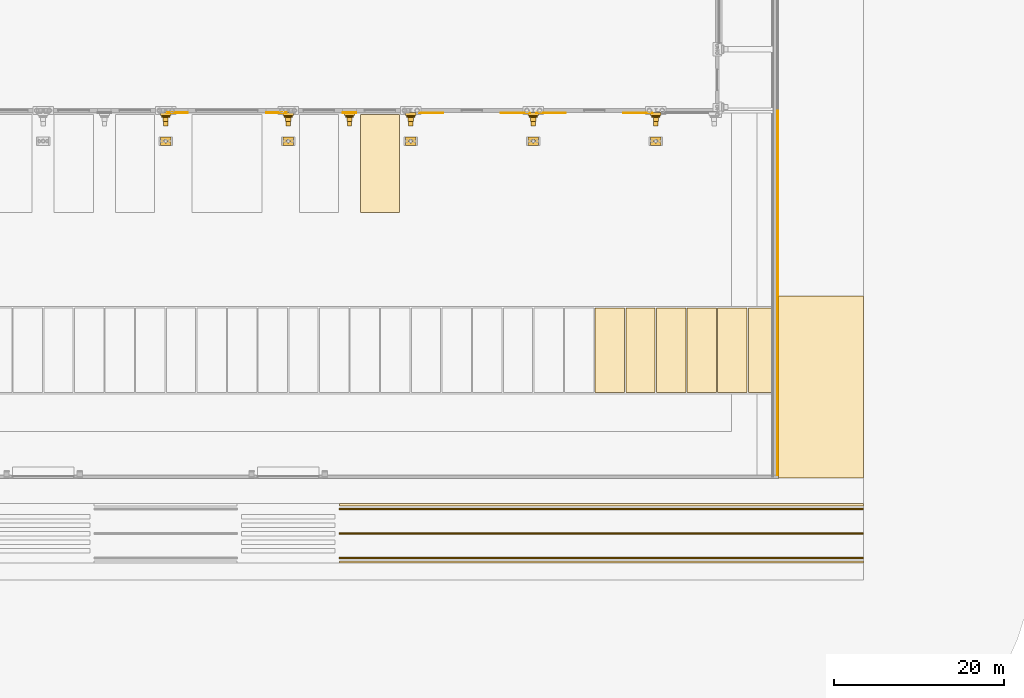
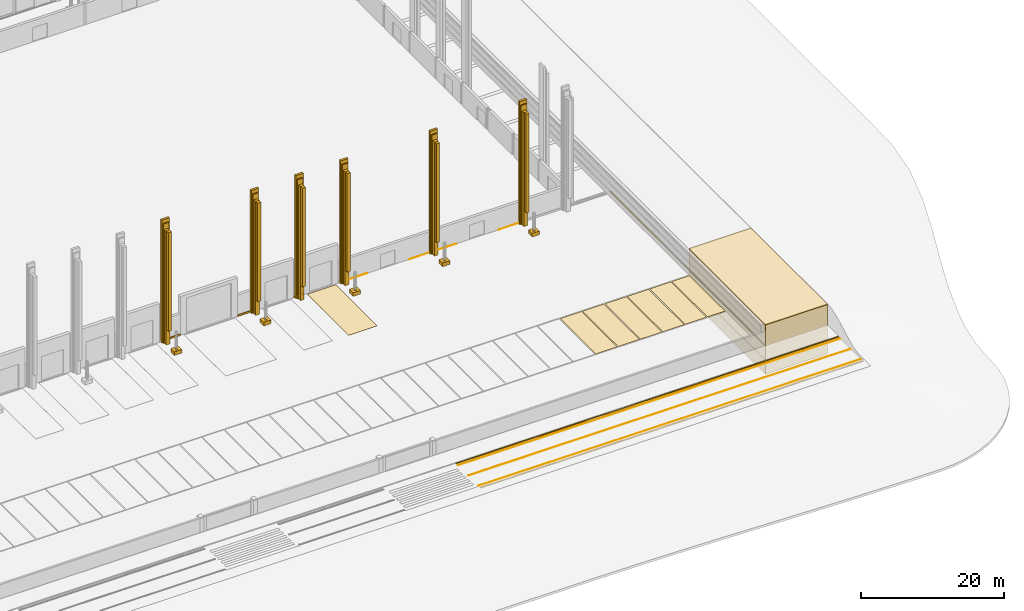
# One storey, part 133 of 148: 52 coverings.
"""IFC4 building model written with IfcOpenShell, lengths in metres."""

from ifc_helpers import new_model, si_unit, direction, frame, origin, origin_2d, place, context, subcontext, project, spatial, polyline, rectangle, outline, extrude, material, layer, layer_set, type_object, element, save


model = new_model("IFC4")

# Units and contexts
model_context = context("Model", 3, precision=1e-05, world=origin(), true_north=direction((0.0, 1.0)))
body_context = subcontext(model_context, "Body", "Model", "MODEL_VIEW")
ifc_project = project(units=[si_unit("LENGTHUNIT", "METRE"), si_unit("AREAUNIT", "SQUARE_METRE"), si_unit("VOLUMEUNIT", "CUBIC_METRE"), si_unit("PLANEANGLEUNIT", "RADIAN"), si_unit("MASSUNIT", "GRAM", prefix="KILO")], contexts=[model_context])

# Site, building, storey
site_placement = place(None, origin())
site = spatial("IfcSite", under=ifc_project, at=site_placement, CompositionType="ELEMENT")
building_placement = place(site_placement, origin())
building = spatial("IfcBuilding", under=site, at=building_placement, Name="Kupolbacken Congress Centre", CompositionType="ELEMENT")
storey_placement = place(building_placement, origin())
storey = spatial("IfcBuildingStorey", under=building, at=storey_placement, Name="L00", CompositionType="ELEMENT", Elevation=0.0)

# Coverings
ifc_material_1 = material(Name="Brick cladding", Category="masonry")
ifc_layer_1 = layer(ifc_material_1, 0.10791015625)
ifc_layer_set_1 = layer_set([ifc_layer_1], Name="Brick cladding")
covering_type_1 = type_object("IfcCoveringType", Name="CV2 brick cladding band 108", PredefinedType="CLADDING", material=ifc_layer_set_1)
for number, where, z_axis, x_axis, name in (
    (1, (138.175048828125, 42.93603515625, 0.0), (0.0, 0.0, 1.0), (1.0, 0.0, 0.0), "E/H/S/L00/080/band"),
    (2, (149.824951171875, 42.93603515625, 0.0), (0.0, 0.0, 1.0), (1.0, 0.0, 0.0), "E/H/S/L00/082/band"),
):
    element("IfcCovering", number, at=place(storey_placement, frame(where, z_axis=z_axis, x_axis=x_axis)), inside=storey, type_object=covering_type_1, Name=name, PredefinedType="CLADDING", context=body_context, shape_type="SweptSolid", body=[
        extrude(rectangle(XDim=2.449951171875, YDim=0.10791015625, at=origin_2d()), origin(), (0.0, 0.0, 1.0), 0.300048828125),
    ])
covering_1_placement = place(storey_placement, frame((158.39990234375, 42.93603515625, 0.0), z_axis=(0.0, 0.0, 1.0), x_axis=(1.0, 0.0, 0.0)))
element("IfcCovering", 3, at=covering_1_placement, inside=storey, type_object=covering_type_1, Name="E/H/S/L00/085/band", PredefinedType="CLADDING", context=body_context, shape_type="SweptSolid", body=[
    extrude(rectangle(XDim=1.60009765625, YDim=0.10791015625, at=origin_2d()), origin(), (0.0, 0.0, 1.0), 0.300048828125),
])
ifc_material_2 = material(Name="Limestone cladding", Category="masonry")
ifc_layer_2 = layer(ifc_material_2, 0.35009765625)
ifc_layer_set_2 = layer_set([ifc_layer_2], Name="Limestone cladding")
covering_type_2 = type_object("IfcCoveringType", Name="CV3 limestone pilaster strip 350", PredefinedType="CLADDING", material=ifc_layer_set_2)
for number, where, z_axis, x_axis, name in (
    (4, (136.800048828125, 42.764892578125, 0.0), (0.0, 0.0, 1.0), (1.0, 0.0, 0.0), "F/H/S/pil/07/0"),
    (5, (151.199951171875, 42.764892578125, 0.0), (0.0, 0.0, 1.0), (1.0, 0.0, 0.0), "F/H/S/pil/09/0"),
    (6, (158.39990234375, 42.764892578125, 0.0), (0.0, 0.0, 1.0), (1.0, 0.0, 0.0), "F/H/S/pil/10/0"),
    (7, (165.60009765625, 42.764892578125, 0.0), (0.0, 0.0, 1.0), (1.0, 0.0, 0.0), "F/H/S/pil/11/0"),
    (8, (180.0, 42.764892578125, 0.0), (0.0, 0.0, 1.0), (1.0, 0.0, 0.0), "F/H/S/pil/13/0"),
    (9, (194.39990234375, 42.764892578125, 0.0), (0.0, 0.0, 1.0), (1.0, 0.0, 0.0), "F/H/S/pil/15/0"),
):
    element("IfcCovering", number, at=place(storey_placement, frame(where, z_axis=z_axis, x_axis=x_axis)), inside=storey, type_object=covering_type_2, Name=name, PredefinedType="CLADDING", context=body_context, shape_type="SweptSolid", body=[
        extrude(rectangle(XDim=1.199951171875, YDim=0.35009765625, at=origin_2d()), origin(), (0.0, 0.0, 1.0), 20.93505859375),
    ])
ifc_material_3 = material(Name="Limestone cladding", Category="masonry")
ifc_layer_3 = layer(ifc_material_3, 0.60009765625)
ifc_layer_set_3 = layer_set([ifc_layer_3], Name="Limestone cladding")
covering_type_3 = type_object("IfcCoveringType", Name="CV5 limestone arcade pier 600", PredefinedType="CLADDING", material=ifc_layer_set_3)
covering_2_placement = place(storey_placement, frame((0.0, 0.0, 0.02001953125)))
element("IfcCovering", 10, at=covering_2_placement, inside=storey, type_object=covering_type_3, Name="Mast pedestal", PredefinedType="CLADDING", context=body_context, shape_type="SweptSolid", body=[
    extrude(outline(polyline([(136.199951171875, 39.10009765625), (136.199951171875, 40.10009765625), (137.39990234375, 40.10009765625), (137.39990234375, 39.10009765625), (136.199951171875, 39.10009765625)]), holes=[polyline([(137.002197265625, 39.626708984375), (136.9970703125, 39.65283203125), (136.98828125, 39.677978515625), (136.9765625, 39.701904296875), (136.9619140625, 39.72412109375), (136.944091796875, 39.744140625), (136.924072265625, 39.76171875), (136.902099609375, 39.776611328125), (136.8779296875, 39.788330078125), (136.852783203125, 39.797119140625), (136.82666015625, 39.80224609375), (136.800048828125, 39.803955078125), (136.7734375, 39.80224609375), (136.747314453125, 39.797119140625), (136.721923828125, 39.788330078125), (136.697998046875, 39.776611328125), (136.67578125, 39.76171875), (136.65576171875, 39.744140625), (136.63818359375, 39.72412109375), (136.623291015625, 39.701904296875), (136.611572265625, 39.677978515625), (136.60302734375, 39.65283203125), (136.597900390625, 39.626708984375), (136.59619140625, 39.60009765625), (136.597900390625, 39.573486328125), (136.60302734375, 39.547119140625), (136.611572265625, 39.52197265625), (136.623291015625, 39.498046875), (136.63818359375, 39.475830078125), (136.65576171875, 39.455810546875), (136.67578125, 39.438232421875), (136.697998046875, 39.42333984375), (136.721923828125, 39.41162109375), (136.747314453125, 39.403076171875), (136.7734375, 39.397705078125), (136.800048828125, 39.39599609375), (136.82666015625, 39.397705078125), (136.852783203125, 39.403076171875), (136.8779296875, 39.41162109375), (136.902099609375, 39.42333984375), (136.924072265625, 39.438232421875), (136.944091796875, 39.455810546875), (136.9619140625, 39.475830078125), (136.9765625, 39.498046875), (136.98828125, 39.52197265625), (136.9970703125, 39.547119140625), (137.002197265625, 39.573486328125), (137.00390625, 39.60009765625), (137.002197265625, 39.626708984375)])]), origin(), (0.0, 0.0, 1.0), 0.60009765625),
])
covering_3_placement = place(storey_placement, frame((0.0, 0.0, 0.02001953125)))
element("IfcCovering", 11, at=covering_3_placement, inside=storey, type_object=covering_type_3, Name="Mast pedestal", PredefinedType="CLADDING", context=body_context, shape_type="SweptSolid", body=[
    extrude(outline(polyline([(150.60009765625, 39.10009765625), (150.60009765625, 40.10009765625), (151.800048828125, 40.10009765625), (151.800048828125, 39.10009765625), (150.60009765625, 39.10009765625)]), holes=[polyline([(151.402099609375, 39.626708984375), (151.39697265625, 39.65283203125), (151.388427734375, 39.677978515625), (151.376708984375, 39.701904296875), (151.36181640625, 39.72412109375), (151.34423828125, 39.744140625), (151.32421875, 39.76171875), (151.302001953125, 39.776611328125), (151.278076171875, 39.788330078125), (151.252685546875, 39.797119140625), (151.2265625, 39.80224609375), (151.199951171875, 39.803955078125), (151.17333984375, 39.80224609375), (151.147216796875, 39.797119140625), (151.1220703125, 39.788330078125), (151.097900390625, 39.776611328125), (151.075927734375, 39.76171875), (151.055908203125, 39.744140625), (151.0380859375, 39.72412109375), (151.0234375, 39.701904296875), (151.01171875, 39.677978515625), (151.0029296875, 39.65283203125), (150.997802734375, 39.626708984375), (150.99609375, 39.60009765625), (150.997802734375, 39.573486328125), (151.0029296875, 39.547119140625), (151.01171875, 39.52197265625), (151.0234375, 39.498046875), (151.0380859375, 39.475830078125), (151.055908203125, 39.455810546875), (151.075927734375, 39.438232421875), (151.097900390625, 39.42333984375), (151.1220703125, 39.41162109375), (151.147216796875, 39.403076171875), (151.17333984375, 39.397705078125), (151.199951171875, 39.39599609375), (151.2265625, 39.397705078125), (151.252685546875, 39.403076171875), (151.278076171875, 39.41162109375), (151.302001953125, 39.42333984375), (151.32421875, 39.438232421875), (151.34423828125, 39.455810546875), (151.36181640625, 39.475830078125), (151.376708984375, 39.498046875), (151.388427734375, 39.52197265625), (151.39697265625, 39.547119140625), (151.402099609375, 39.573486328125), (151.40380859375, 39.60009765625), (151.402099609375, 39.626708984375)])]), origin(), (0.0, 0.0, 1.0), 0.60009765625),
])
covering_4_placement = place(storey_placement, frame((0.0, 0.0, 0.02001953125)))
element("IfcCovering", 12, at=covering_4_placement, inside=storey, type_object=covering_type_3, Name="Mast pedestal", PredefinedType="CLADDING", context=body_context, shape_type="SweptSolid", body=[
    extrude(outline(polyline([(165.0, 39.10009765625), (165.0, 40.10009765625), (166.199951171875, 40.10009765625), (166.199951171875, 39.10009765625), (165.0, 39.10009765625)]), holes=[polyline([(165.80224609375, 39.626708984375), (165.797119140625, 39.65283203125), (165.788330078125, 39.677978515625), (165.776611328125, 39.701904296875), (165.76171875, 39.72412109375), (165.744140625, 39.744140625), (165.72412109375, 39.76171875), (165.701904296875, 39.776611328125), (165.677978515625, 39.788330078125), (165.65283203125, 39.797119140625), (165.626708984375, 39.80224609375), (165.60009765625, 39.803955078125), (165.573486328125, 39.80224609375), (165.547119140625, 39.797119140625), (165.52197265625, 39.788330078125), (165.498046875, 39.776611328125), (165.475830078125, 39.76171875), (165.455810546875, 39.744140625), (165.438232421875, 39.72412109375), (165.42333984375, 39.701904296875), (165.41162109375, 39.677978515625), (165.403076171875, 39.65283203125), (165.397705078125, 39.626708984375), (165.39599609375, 39.60009765625), (165.397705078125, 39.573486328125), (165.403076171875, 39.547119140625), (165.41162109375, 39.52197265625), (165.42333984375, 39.498046875), (165.438232421875, 39.475830078125), (165.455810546875, 39.455810546875), (165.475830078125, 39.438232421875), (165.498046875, 39.42333984375), (165.52197265625, 39.41162109375), (165.547119140625, 39.403076171875), (165.573486328125, 39.397705078125), (165.60009765625, 39.39599609375), (165.626708984375, 39.397705078125), (165.65283203125, 39.403076171875), (165.677978515625, 39.41162109375), (165.701904296875, 39.42333984375), (165.72412109375, 39.438232421875), (165.744140625, 39.455810546875), (165.76171875, 39.475830078125), (165.776611328125, 39.498046875), (165.788330078125, 39.52197265625), (165.797119140625, 39.547119140625), (165.80224609375, 39.573486328125), (165.803955078125, 39.60009765625), (165.80224609375, 39.626708984375)])]), origin(), (0.0, 0.0, 1.0), 0.60009765625),
])
covering_5_placement = place(storey_placement, frame((0.0, 0.0, 0.02001953125)))
element("IfcCovering", 13, at=covering_5_placement, inside=storey, type_object=covering_type_3, Name="Mast pedestal", PredefinedType="CLADDING", context=body_context, shape_type="SweptSolid", body=[
    extrude(outline(polyline([(179.39990234375, 39.10009765625), (179.39990234375, 40.10009765625), (180.60009765625, 40.10009765625), (180.60009765625, 39.10009765625), (179.39990234375, 39.10009765625)]), holes=[polyline([(180.2021484375, 39.626708984375), (180.197021484375, 39.65283203125), (180.1884765625, 39.677978515625), (180.176513671875, 39.701904296875), (180.161865234375, 39.72412109375), (180.144287109375, 39.744140625), (180.1240234375, 39.76171875), (180.10205078125, 39.776611328125), (180.077880859375, 39.788330078125), (180.052734375, 39.797119140625), (180.026611328125, 39.80224609375), (180.0, 39.803955078125), (179.973388671875, 39.80224609375), (179.947265625, 39.797119140625), (179.922119140625, 39.788330078125), (179.89794921875, 39.776611328125), (179.8759765625, 39.76171875), (179.855712890625, 39.744140625), (179.838134765625, 39.72412109375), (179.823486328125, 39.701904296875), (179.8115234375, 39.677978515625), (179.802978515625, 39.65283203125), (179.7978515625, 39.626708984375), (179.796142578125, 39.60009765625), (179.7978515625, 39.573486328125), (179.802978515625, 39.547119140625), (179.8115234375, 39.52197265625), (179.823486328125, 39.498046875), (179.838134765625, 39.475830078125), (179.855712890625, 39.455810546875), (179.8759765625, 39.438232421875), (179.89794921875, 39.42333984375), (179.922119140625, 39.41162109375), (179.947265625, 39.403076171875), (179.973388671875, 39.397705078125), (180.0, 39.39599609375), (180.026611328125, 39.397705078125), (180.052734375, 39.403076171875), (180.077880859375, 39.41162109375), (180.10205078125, 39.42333984375), (180.1240234375, 39.438232421875), (180.144287109375, 39.455810546875), (180.161865234375, 39.475830078125), (180.176513671875, 39.498046875), (180.1884765625, 39.52197265625), (180.197021484375, 39.547119140625), (180.2021484375, 39.573486328125), (180.203857421875, 39.60009765625), (180.2021484375, 39.626708984375)])]), origin(), (0.0, 0.0, 1.0), 0.60009765625),
])
covering_6_placement = place(storey_placement, frame((0.0, 0.0, 0.02001953125)))
element("IfcCovering", 14, at=covering_6_placement, inside=storey, type_object=covering_type_3, Name="Mast pedestal", PredefinedType="CLADDING", context=body_context, shape_type="SweptSolid", body=[
    extrude(outline(polyline([(193.800048828125, 39.10009765625), (193.800048828125, 40.10009765625), (195.0, 40.10009765625), (195.0, 39.10009765625), (193.800048828125, 39.10009765625)]), holes=[polyline([(194.602294921875, 39.626708984375), (194.596923828125, 39.65283203125), (194.58837890625, 39.677978515625), (194.57666015625, 39.701904296875), (194.561767578125, 39.72412109375), (194.544189453125, 39.744140625), (194.524169921875, 39.76171875), (194.501953125, 39.776611328125), (194.47802734375, 39.788330078125), (194.452880859375, 39.797119140625), (194.426513671875, 39.80224609375), (194.39990234375, 39.803955078125), (194.373291015625, 39.80224609375), (194.34716796875, 39.797119140625), (194.322021484375, 39.788330078125), (194.298095703125, 39.776611328125), (194.27587890625, 39.76171875), (194.255859375, 39.744140625), (194.23828125, 39.72412109375), (194.223388671875, 39.701904296875), (194.211669921875, 39.677978515625), (194.202880859375, 39.65283203125), (194.19775390625, 39.626708984375), (194.196044921875, 39.60009765625), (194.19775390625, 39.573486328125), (194.202880859375, 39.547119140625), (194.211669921875, 39.52197265625), (194.223388671875, 39.498046875), (194.23828125, 39.475830078125), (194.255859375, 39.455810546875), (194.27587890625, 39.438232421875), (194.298095703125, 39.42333984375), (194.322021484375, 39.41162109375), (194.34716796875, 39.403076171875), (194.373291015625, 39.397705078125), (194.39990234375, 39.39599609375), (194.426513671875, 39.397705078125), (194.452880859375, 39.403076171875), (194.47802734375, 39.41162109375), (194.501953125, 39.42333984375), (194.524169921875, 39.438232421875), (194.544189453125, 39.455810546875), (194.561767578125, 39.475830078125), (194.57666015625, 39.498046875), (194.58837890625, 39.52197265625), (194.596923828125, 39.547119140625), (194.602294921875, 39.573486328125), (194.60400390625, 39.60009765625), (194.602294921875, 39.626708984375)])]), origin(), (0.0, 0.0, 1.0), 0.60009765625),
])
ifc_material_4 = material(Name="Limestone cladding", Category="masonry")
ifc_layer_4 = layer(ifc_material_4, 0.5)
ifc_layer_set_4 = layer_set([ifc_layer_4], Name="Limestone cladding")
covering_type_4 = type_object("IfcCoveringType", Name="CV8 limestone drum pier 500", PredefinedType="CLADDING", material=ifc_layer_set_4)
covering_7_placement = place(storey_placement, frame((136.800048828125, 42.139892578125, 0.0), z_axis=(0.0, 0.0, 1.0), x_axis=(1.0, 0.0, 0.0)))
element("IfcCovering", 15, at=covering_7_placement, inside=storey, type_object=covering_type_4, Name="F/HR/H/S/butt/07-0/0", PredefinedType="CLADDING", context=body_context, shape_type="SweptSolid", body=[
    extrude(rectangle(XDim=0.60009765625, YDim=0.5, at=origin_2d()), origin(), (0.0, 0.0, 1.0), 19.385009765625),
])
covering_8_placement = place(storey_placement, frame((136.800048828125, 41.639892578125, 2.60009765625), z_axis=(0.0, 0.0, 1.0), x_axis=(1.0, 0.0, 0.0)))
element("IfcCovering", 16, at=covering_8_placement, inside=storey, type_object=covering_type_4, Name="F/HR/H/S/butt2/07-0/0", PredefinedType="CLADDING", context=body_context, shape_type="SweptSolid", body=[
    extrude(rectangle(XDim=0.5, YDim=0.5, at=origin_2d()), origin(), (0.0, 0.0, 1.0), 16.784912109375),
])
covering_9_placement = place(storey_placement, frame((151.199951171875, 42.139892578125, 0.0), z_axis=(0.0, 0.0, 1.0), x_axis=(1.0, 0.0, 0.0)))
element("IfcCovering", 17, at=covering_9_placement, inside=storey, type_object=covering_type_4, Name="F/HR/H/S/butt/09-0/0", PredefinedType="CLADDING", context=body_context, shape_type="SweptSolid", body=[
    extrude(rectangle(XDim=0.60009765625, YDim=0.5, at=origin_2d()), origin(), (0.0, 0.0, 1.0), 19.385009765625),
])
covering_10_placement = place(storey_placement, frame((151.199951171875, 41.639892578125, 2.60009765625), z_axis=(0.0, 0.0, 1.0), x_axis=(1.0, 0.0, 0.0)))
element("IfcCovering", 18, at=covering_10_placement, inside=storey, type_object=covering_type_4, Name="F/HR/H/S/butt2/09-0/0", PredefinedType="CLADDING", context=body_context, shape_type="SweptSolid", body=[
    extrude(rectangle(XDim=0.5, YDim=0.5, at=origin_2d()), origin(), (0.0, 0.0, 1.0), 16.784912109375),
])
covering_11_placement = place(storey_placement, frame((158.39990234375, 42.139892578125, 0.0), z_axis=(0.0, 0.0, 1.0), x_axis=(1.0, 0.0, 0.0)))
element("IfcCovering", 19, at=covering_11_placement, inside=storey, type_object=covering_type_4, Name="F/HR/H/S/butt/10-0/0", PredefinedType="CLADDING", context=body_context, shape_type="SweptSolid", body=[
    extrude(rectangle(XDim=0.60009765625, YDim=0.5, at=origin_2d()), origin(), (0.0, 0.0, 1.0), 19.385009765625),
])
covering_12_placement = place(storey_placement, frame((158.39990234375, 41.639892578125, 2.60009765625), z_axis=(0.0, 0.0, 1.0), x_axis=(1.0, 0.0, 0.0)))
element("IfcCovering", 20, at=covering_12_placement, inside=storey, type_object=covering_type_4, Name="F/HR/H/S/butt2/10-0/0", PredefinedType="CLADDING", context=body_context, shape_type="SweptSolid", body=[
    extrude(rectangle(XDim=0.5, YDim=0.5, at=origin_2d()), origin(), (0.0, 0.0, 1.0), 16.784912109375),
])
covering_13_placement = place(storey_placement, frame((165.60009765625, 42.139892578125, 0.0), z_axis=(0.0, 0.0, 1.0), x_axis=(1.0, 0.0, 0.0)))
element("IfcCovering", 21, at=covering_13_placement, inside=storey, type_object=covering_type_4, Name="F/HR/H/S/butt/11-0/0", PredefinedType="CLADDING", context=body_context, shape_type="SweptSolid", body=[
    extrude(rectangle(XDim=0.60009765625, YDim=0.5, at=origin_2d()), origin(), (0.0, 0.0, 1.0), 19.385009765625),
])
covering_14_placement = place(storey_placement, frame((165.60009765625, 41.639892578125, 2.60009765625), z_axis=(0.0, 0.0, 1.0), x_axis=(1.0, 0.0, 0.0)))
element("IfcCovering", 22, at=covering_14_placement, inside=storey, type_object=covering_type_4, Name="F/HR/H/S/butt2/11-0/0", PredefinedType="CLADDING", context=body_context, shape_type="SweptSolid", body=[
    extrude(rectangle(XDim=0.5, YDim=0.5, at=origin_2d()), origin(), (0.0, 0.0, 1.0), 16.784912109375),
])
covering_15_placement = place(storey_placement, frame((180.0, 42.139892578125, 0.0), z_axis=(0.0, 0.0, 1.0), x_axis=(1.0, 0.0, 0.0)))
element("IfcCovering", 23, at=covering_15_placement, inside=storey, type_object=covering_type_4, Name="F/HR/H/S/butt/13-0/0", PredefinedType="CLADDING", context=body_context, shape_type="SweptSolid", body=[
    extrude(rectangle(XDim=0.60009765625, YDim=0.5, at=origin_2d()), origin(), (0.0, 0.0, 1.0), 19.385009765625),
])
covering_16_placement = place(storey_placement, frame((180.0, 41.639892578125, 2.60009765625), z_axis=(0.0, 0.0, 1.0), x_axis=(1.0, 0.0, 0.0)))
element("IfcCovering", 24, at=covering_16_placement, inside=storey, type_object=covering_type_4, Name="F/HR/H/S/butt2/13-0/0", PredefinedType="CLADDING", context=body_context, shape_type="SweptSolid", body=[
    extrude(rectangle(XDim=0.5, YDim=0.5, at=origin_2d()), origin(), (0.0, 0.0, 1.0), 16.784912109375),
])
covering_17_placement = place(storey_placement, frame((194.39990234375, 42.139892578125, 0.0), z_axis=(0.0, 0.0, 1.0), x_axis=(1.0, 0.0, 0.0)))
element("IfcCovering", 25, at=covering_17_placement, inside=storey, type_object=covering_type_4, Name="F/HR/H/S/butt/15-0/0", PredefinedType="CLADDING", context=body_context, shape_type="SweptSolid", body=[
    extrude(rectangle(XDim=0.60009765625, YDim=0.5, at=origin_2d()), origin(), (0.0, 0.0, 1.0), 19.385009765625),
])
covering_18_placement = place(storey_placement, frame((194.39990234375, 41.639892578125, 2.60009765625), z_axis=(0.0, 0.0, 1.0), x_axis=(1.0, 0.0, 0.0)))
element("IfcCovering", 26, at=covering_18_placement, inside=storey, type_object=covering_type_4, Name="F/HR/H/S/butt2/15-0/0", PredefinedType="CLADDING", context=body_context, shape_type="SweptSolid", body=[
    extrude(rectangle(XDim=0.5, YDim=0.5, at=origin_2d()), origin(), (0.0, 0.0, 1.0), 16.784912109375),
])
ifc_material_5 = material(Name="Limestone cladding", Category="masonry")
ifc_layer_5 = layer(ifc_material_5, 0.199951171875)
ifc_layer_set_5 = layer_set([ifc_layer_5], Name="Limestone cladding")
covering_type_5 = type_object("IfcCoveringType", Name="CV9 limestone drum arch frame 200", PredefinedType="CLADDING", material=ifc_layer_set_5)
for number, where, z_axis, x_axis, name in (
    (27, (136.800048828125, 42.489990234375, 0.0), (0.0, 0.0, 1.0), (1.0, 0.0, 0.0), "F/HR/H/S/rib/07-0/0"),
    (28, (151.199951171875, 42.489990234375, 0.0), (0.0, 0.0, 1.0), (1.0, 0.0, 0.0), "F/HR/H/S/rib/09-0/0"),
    (29, (158.39990234375, 42.489990234375, 0.0), (0.0, 0.0, 1.0), (1.0, 0.0, 0.0), "F/HR/H/S/rib/10-0/0"),
    (30, (165.60009765625, 42.489990234375, 0.0), (0.0, 0.0, 1.0), (1.0, 0.0, 0.0), "F/HR/H/S/rib/11-0/0"),
    (31, (180.0, 42.489990234375, 0.0), (0.0, 0.0, 1.0), (1.0, 0.0, 0.0), "F/HR/H/S/rib/13-0/0"),
    (32, (194.39990234375, 42.489990234375, 0.0), (0.0, 0.0, 1.0), (1.0, 0.0, 0.0), "F/HR/H/S/rib/15-0/0"),
):
    element("IfcCovering", number, at=place(storey_placement, frame(where, z_axis=z_axis, x_axis=x_axis)), inside=storey, type_object=covering_type_5, Name=name, PredefinedType="CLADDING", context=body_context, shape_type="SweptSolid", body=[
        extrude(rectangle(XDim=0.89990234375, YDim=0.199951171875, at=origin_2d()), origin(), (0.0, 0.0, 1.0), 20.3349609375),
    ])
ifc_material_6 = material(Name="Limestone cladding", Category="masonry")
ifc_layer_6 = layer(ifc_material_6, 0.02001953125)
ifc_layer_set_6 = layer_set([ifc_layer_6], Name="Limestone cladding")
covering_type_6 = type_object("IfcCoveringType", Name="GF1 limestone paving 20", PredefinedType="FLOORING", material=ifc_layer_set_6)
covering_19_placement = place(storey_placement, frame((0.0, 0.0, -0.14990234375)))
element("IfcCovering", 33, at=covering_19_placement, inside=storey, type_object=covering_type_6, Name="Street edge line", PredefinedType="FLOORING", context=body_context, shape_type="SweptSolid", body=[
    extrude(outline(polyline([(218.798095703125, -9.449951171875), (157.199951171875, -9.449951171875), (157.199951171875, -9.300048828125), (218.798095703125, -9.300048828125), (218.798095703125, -9.449951171875)])), origin(), (0.0, 0.0, 1.0), 0.02001953125),
])
covering_20_placement = place(storey_placement, frame((0.0, 0.0, -0.14990234375)))
element("IfcCovering", 34, at=covering_20_placement, inside=storey, type_object=covering_type_6, Name="Street edge line", PredefinedType="FLOORING", context=body_context, shape_type="SweptSolid", body=[
    extrude(outline(polyline([(218.798095703125, -3.699951171875), (157.199951171875, -3.699951171875), (157.199951171875, -3.550048828125), (218.798095703125, -3.550048828125), (218.798095703125, -3.699951171875)])), origin(), (0.0, 0.0, 1.0), 0.02001953125),
])
covering_21_placement = place(storey_placement, frame((0.0, 0.0, -0.14990234375)))
element("IfcCovering", 35, at=covering_21_placement, inside=storey, type_object=covering_type_6, Name="Street centre line", PredefinedType="FLOORING", context=body_context, shape_type="SweptSolid", body=[
    extrude(outline(polyline([(218.798095703125, -6.574951171875), (157.199951171875, -6.574951171875), (157.199951171875, -6.425048828125), (218.798095703125, -6.425048828125), (218.798095703125, -6.574951171875)])), origin(), (0.0, 0.0, 1.0), 0.02001953125),
])
ifc_material_7 = material(Name="Asphalt", Category="masonry")
ifc_layer_7 = layer(ifc_material_7, 0.02001953125)
ifc_layer_set_7 = layer_set([ifc_layer_7], Name="Asphalt")
covering_type_7 = type_object("IfcCoveringType", Name="GF3 asphalt dock hardstanding 20", PredefinedType="FLOORING", material=ifc_layer_set_7)
covering_22_placement = place(storey_placement, origin())
element("IfcCovering", 36, at=covering_22_placement, inside=storey, type_object=covering_type_7, Name="Dock hardstanding", PredefinedType="FLOORING", context=body_context, shape_type="SweptSolid", body=[
    extrude(outline(polyline([(164.300048828125, 31.199951171875), (159.699951171875, 31.199951171875), (159.699951171875, 42.75), (164.300048828125, 42.75), (164.300048828125, 31.199951171875)])), origin(), (0.0, 0.0, 1.0), 0.02001953125),
])
covering_23_placement = place(storey_placement, origin())
element("IfcCovering", 37, at=covering_23_placement, inside=storey, type_object=covering_type_7, Name="Service yard asphalt hardstanding", PredefinedType="FLOORING", context=body_context, shape_type="SweptSolid", body=[
    extrude(outline(polyline([(208.110107421875, 10.050048828125), (205.27490234375, 10.050048828125), (205.27490234375, 20.0), (208.110107421875, 20.0), (208.110107421875, 10.050048828125)])), origin(), (0.0, 0.0, 1.0), 0.02001953125),
])
covering_24_placement = place(storey_placement, origin())
element("IfcCovering", 38, at=covering_24_placement, inside=storey, type_object=covering_type_7, Name="Service yard asphalt hardstanding", PredefinedType="FLOORING", context=body_context, shape_type="SweptSolid", body=[
    extrude(outline(polyline([(201.675048828125, 20.0), (205.125, 20.0), (205.125, 10.050048828125), (201.675048828125, 10.050048828125), (201.675048828125, 20.0)])), origin(), (0.0, 0.0, 1.0), 0.02001953125),
])
covering_25_placement = place(storey_placement, origin())
element("IfcCovering", 39, at=covering_25_placement, inside=storey, type_object=covering_type_7, Name="Service yard asphalt hardstanding", PredefinedType="FLOORING", context=body_context, shape_type="SweptSolid", body=[
    extrude(outline(polyline([(198.074951171875, 20.0), (201.52490234375, 20.0), (201.52490234375, 10.050048828125), (198.074951171875, 10.050048828125), (198.074951171875, 20.0)])), origin(), (0.0, 0.0, 1.0), 0.02001953125),
])
covering_26_placement = place(storey_placement, origin())
element("IfcCovering", 40, at=covering_26_placement, inside=storey, type_object=covering_type_7, Name="Service yard asphalt hardstanding", PredefinedType="FLOORING", context=body_context, shape_type="SweptSolid", body=[
    extrude(outline(polyline([(194.47509765625, 20.0), (197.925048828125, 20.0), (197.925048828125, 10.050048828125), (194.47509765625, 10.050048828125), (194.47509765625, 20.0)])), origin(), (0.0, 0.0, 1.0), 0.02001953125),
])
covering_27_placement = place(storey_placement, origin())
element("IfcCovering", 41, at=covering_27_placement, inside=storey, type_object=covering_type_7, Name="Service yard asphalt hardstanding", PredefinedType="FLOORING", context=body_context, shape_type="SweptSolid", body=[
    extrude(outline(polyline([(190.875, 20.0), (194.324951171875, 20.0), (194.324951171875, 10.050048828125), (190.875, 10.050048828125), (190.875, 20.0)])), origin(), (0.0, 0.0, 1.0), 0.02001953125),
])
covering_28_placement = place(storey_placement, origin())
element("IfcCovering", 42, at=covering_28_placement, inside=storey, type_object=covering_type_7, Name="Service yard asphalt hardstanding", PredefinedType="FLOORING", context=body_context, shape_type="SweptSolid", body=[
    extrude(outline(polyline([(187.27490234375, 20.0), (190.72509765625, 20.0), (190.72509765625, 10.050048828125), (187.27490234375, 10.050048828125), (187.27490234375, 20.0)])), origin(), (0.0, 0.0, 1.0), 0.02001953125),
])
ifc_material_8 = material(Name="Grass", Category="soil")
ifc_layer_8 = layer(ifc_material_8, 0.10009765625)
ifc_layer_set_8 = layer_set([ifc_layer_8], Name="Grass")
covering_type_8 = type_object("IfcCoveringType", Name="GR2 grass surface 100", PredefinedType="FLOORING", material=ifc_layer_set_8)
covering_29_placement = place(storey_placement, frame((0.0, 0.0, 3.5)))
element("IfcCovering", 43, at=covering_29_placement, inside=storey, type_object=covering_type_8, Name="Grass, east hill 0", PredefinedType="FLOORING", context=body_context, shape_type="SweptSolid", body=[
    extrude(outline(polyline([(218.800048828125, 21.375), (218.800048828125, 0.0), (208.800048828125, 0.0), (208.800048828125, 21.375), (218.800048828125, 21.375)])), origin(), (0.0, 0.0, 1.0), 0.10009765625),
])
ifc_material_9 = material(Name="Granite setts", Category="masonry")
ifc_layer_9 = layer(ifc_material_9, 0.10009765625)
ifc_layer_set_9 = layer_set([ifc_layer_9], Name="Granite setts")
covering_type_9 = type_object("IfcCoveringType", Name="GR3 granite sett paving 100", PredefinedType="FLOORING", material=ifc_layer_set_9)
covering_30_placement = place(storey_placement, origin())
element("IfcCovering", 44, at=covering_30_placement, inside=storey, type_object=covering_type_9, Name="Granite kerb edging", PredefinedType="FLOORING", context=body_context, shape_type="SweptSolid", body=[
    extrude(outline(polyline([(208.699951171875, 0.35498046875), (208.699951171875, 43.197509765625), (208.79638671875, 43.197509765625), (208.79638671875, 0.35498046875), (208.699951171875, 0.35498046875)])), origin(), (0.0, 0.0, 1.0), 0.10009765625),
])
covering_31_placement = place(storey_placement, origin())
element("IfcCovering", 45, at=covering_31_placement, inside=storey, type_object=covering_type_9, Name="Granite kerb edging", PredefinedType="FLOORING", context=body_context, shape_type="SweptSolid", body=[
    extrude(outline(polyline([(169.411865234375, 42.9599609375), (169.414794921875, 42.8994140625), (166.585205078125, 42.8994140625), (166.588134765625, 42.9599609375), (169.411865234375, 42.9599609375)])), origin(), (0.0, 0.0, 1.0), 0.10009765625),
])
covering_32_placement = place(storey_placement, origin())
element("IfcCovering", 46, at=covering_32_placement, inside=storey, type_object=covering_type_9, Name="Granite kerb edging", PredefinedType="FLOORING", context=body_context, shape_type="SweptSolid", body=[
    extrude(outline(polyline([(176.188232421875, 42.9599609375), (179.5849609375, 42.9599609375), (179.600830078125, 42.933349609375), (179.6259765625, 42.8994140625), (176.185302734375, 42.8994140625), (176.188232421875, 42.9599609375)])), origin(), (0.0, 0.0, 1.0), 0.10009765625),
])
covering_33_placement = place(storey_placement, origin())
element("IfcCovering", 47, at=covering_33_placement, inside=storey, type_object=covering_type_9, Name="Granite kerb edging", PredefinedType="FLOORING", context=body_context, shape_type="SweptSolid", body=[
    extrude(outline(polyline([(180.399169921875, 42.933349609375), (180.4150390625, 42.9599609375), (183.811767578125, 42.9599609375), (183.814697265625, 42.8994140625), (180.3740234375, 42.8994140625), (180.399169921875, 42.933349609375)])), origin(), (0.0, 0.0, 1.0), 0.10009765625),
])
covering_34_placement = place(storey_placement, origin())
element("IfcCovering", 48, at=covering_34_placement, inside=storey, type_object=covering_type_9, Name="Granite kerb edging", PredefinedType="FLOORING", context=body_context, shape_type="SweptSolid", body=[
    extrude(outline(polyline([(193.98486328125, 42.9599609375), (194.0009765625, 42.933349609375), (194.02587890625, 42.8994140625), (190.585205078125, 42.8994140625), (190.588134765625, 42.9599609375), (193.98486328125, 42.9599609375)])), origin(), (0.0, 0.0, 1.0), 0.10009765625),
])
covering_35_placement = place(storey_placement, frame((0.0, 0.0, -0.14990234375)))
element("IfcCovering", 49, at=covering_35_placement, inside=storey, type_object=covering_type_9, Name="Street granite kerb", PredefinedType="FLOORING", context=body_context, shape_type="SweptSolid", body=[
    extrude(outline(polyline([(218.798095703125, -9.998046875), (157.199951171875, -9.998046875), (157.199951171875, -9.75), (218.798095703125, -9.75), (218.798095703125, -9.998046875)])), origin(), (0.0, 0.0, 1.0), 0.099853515625),
])
covering_36_placement = place(storey_placement, frame((0.0, 0.0, -0.14990234375)))
element("IfcCovering", 50, at=covering_36_placement, inside=storey, type_object=covering_type_9, Name="Street granite kerb", PredefinedType="FLOORING", context=body_context, shape_type="SweptSolid", body=[
    extrude(outline(polyline([(218.798095703125, -3.001953125), (218.798095703125, -3.25), (157.199951171875, -3.25), (157.199951171875, -3.001953125), (218.798095703125, -3.001953125)])), origin(), (0.0, 0.0, 1.0), 0.099853515625),
])
ifc_material_10 = material(Name="Made ground", Category="soil")
ifc_layer_10 = layer(ifc_material_10, 2.39990234375)
ifc_layer_set_10 = layer_set([ifc_layer_10], Name="Made ground")
covering_type_10 = type_object("IfcCoveringType", Name="GR5 earthworks, made ground", PredefinedType="FLOORING", material=ifc_layer_set_10)
covering_37_placement = place(storey_placement, frame((0.0, 0.0, -2.5)))
element("IfcCovering", 51, at=covering_37_placement, inside=storey, type_object=covering_type_10, Name="Earthworks, east hill 0, made ground", PredefinedType="FLOORING", context=body_context, shape_type="SweptSolid", body=[
    extrude(outline(polyline([(218.800048828125, 21.375), (218.800048828125, 0.0), (208.800048828125, 0.0), (208.800048828125, 21.375), (218.800048828125, 21.375)])), origin(), (0.0, 0.0, 1.0), 6.0),
])
ifc_material_11 = material(Name="Clay till", Category="soil")
ifc_layer_11 = layer(ifc_material_11, 2.39990234375)
ifc_layer_set_11 = layer_set([ifc_layer_11], Name="Clay till")
covering_type_11 = type_object("IfcCoveringType", Name="GR6 earthworks, clay till", PredefinedType="FLOORING", material=ifc_layer_set_11)
covering_38_placement = place(storey_placement, frame((0.0, 0.0, -4.89990234375)))
element("IfcCovering", 52, at=covering_38_placement, inside=storey, type_object=covering_type_11, Name="Earthworks, east hill 0, clay till", PredefinedType="FLOORING", context=body_context, shape_type="SweptSolid", body=[
    extrude(outline(polyline([(218.800048828125, 21.375), (218.800048828125, 0.0), (208.800048828125, 0.0), (208.800048828125, 21.375), (218.800048828125, 21.375)])), origin(), (0.0, 0.0, 1.0), 2.39990234375),
])

save(model, "model.ifc")
